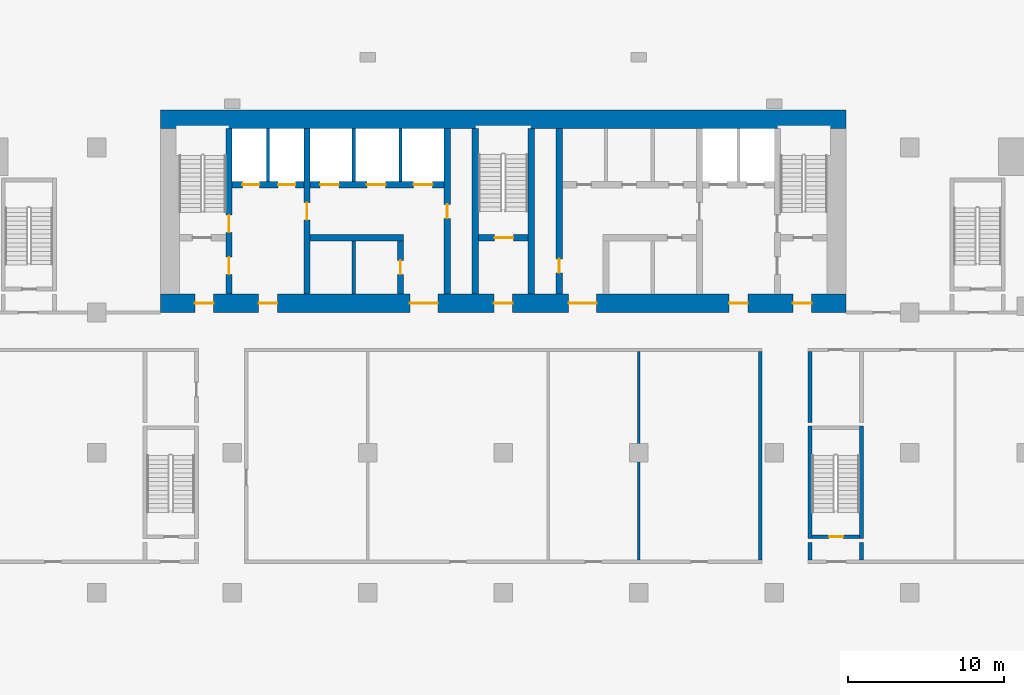
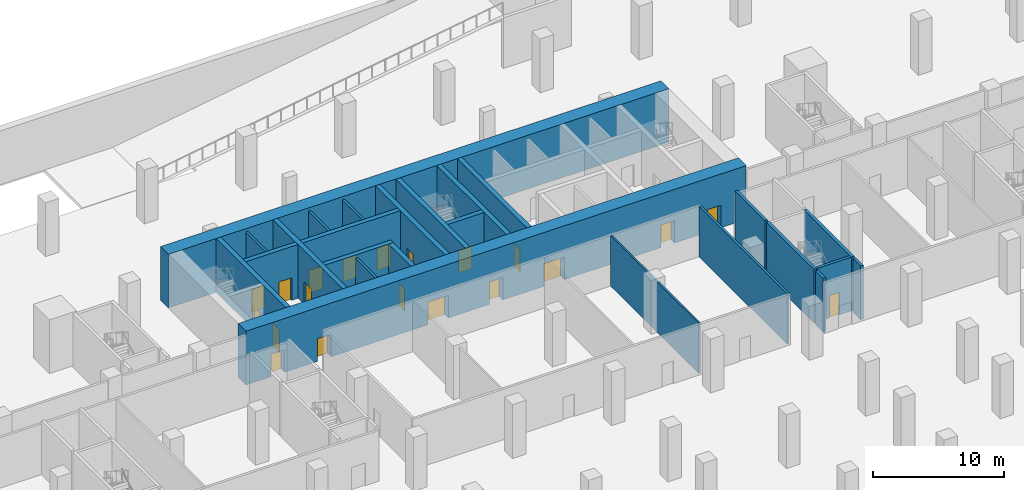
# One storey, part 3 of 8: 24 walls, 20 doors, 20 openings.
"""IFC4 building model written with IfcOpenShell, lengths in metres."""

import ifcopenshell
import ifcopenshell.guid

model = None  # the IFC model being written
_history = None  # IfcOwnerHistory: only IFC2X3 demands one
_inside = {}  # id of a spatial element -> (the spatial element, [elements in it])
_under = {}  # id of a project, library or spatial element -> (it, [spatial elements below it])
_declared = {}  # id of a project -> (the project, [libraries it declares])
_typed = {}  # id of a type object -> (the type object, [elements of that type])
_made_of = {}  # id of a material, layer set ... -> (it, [elements and type objects made of it])


def new_model(schema):
    """Start an empty IFC model of exactly this schema.

    Asked for "IFC4X3", IfcOpenShell would pick the latest addendum, in which some entities
    have other attributes; the version numbers below select the first issue.
    IFC2X3 requires an IfcOwnerHistory on every rooted entity: one is made here for all.
    """
    global model, _history
    if schema == "IFC4X3":
        model = ifcopenshell.file(schema_version=(4, 3, 0, 0))
    else:
        model = ifcopenshell.file(schema=schema)
    _inside.clear()
    _under.clear()
    _declared.clear()
    _typed.clear()
    _made_of.clear()
    _history = None
    if model.schema == "IFC2X3":
        org = make("IfcOrganization", Name="unknown")
        user = make(
            "IfcPersonAndOrganization",
            ThePerson=make("IfcPerson", FamilyName="unknown"),
            TheOrganization=org,
        )
        app = make(
            "IfcApplication",
            ApplicationDeveloper=org,
            Version="unknown",
            ApplicationFullName="unknown",
            ApplicationIdentifier="unknown",
        )
        _history = make(
            "IfcOwnerHistory",
            OwningUser=user,
            OwningApplication=app,
            ChangeAction="ADDED",
            CreationDate=0,
        )
    return model


def make(cls, **values):
    """One entity of the class cls with the attributes given. An attribute that is None is left unset."""
    return model.create_entity(
        cls, **{name: value for name, value in values.items() if value is not None}
    )


def rooted(cls, **values):
    """An entity with a GlobalId (a new one), such as an element, a storey or a relation."""
    return make(cls, GlobalId=ifcopenshell.guid.new(), OwnerHistory=_history, **values)


def si_unit(unit_type, name, prefix=None):
    """IfcSIUnit, for example si_unit("LENGTHUNIT", "METRE", prefix="MILLI")."""
    return make("IfcSIUnit", UnitType=unit_type, Prefix=prefix, Name=name)


def assignment(units):
    """IfcUnitAssignment: the units of a project."""
    return None if units is None else make("IfcUnitAssignment", Units=units)


def point(xyz):
    """IfcCartesianPoint."""
    return None if xyz is None else make("IfcCartesianPoint", Coordinates=xyz)


def direction(xyz):
    """IfcDirection."""
    return None if xyz is None else make("IfcDirection", DirectionRatios=xyz)


def frame(location, z_axis=None, x_axis=None):
    """IfcAxis2Placement3D, a coordinate frame: its origin and axes. An axis left out is left unset."""
    return make(
        "IfcAxis2Placement3D",
        Location=point(location),
        Axis=direction(z_axis),
        RefDirection=direction(x_axis),
    )


def frame_2d(location, x_axis=None):
    """IfcAxis2Placement2D, a coordinate frame in the plane: its origin and x axis."""
    return make(
        "IfcAxis2Placement2D", Location=point(location), RefDirection=direction(x_axis)
    )


def origin():
    """The frame at (0, 0, 0) with its axes left unset."""
    return frame((0.0, 0.0, 0.0))


def place(relative_to, where):
    """IfcLocalPlacement: puts the frame where relative to a parent placement (None: the world)."""
    return make(
        "IfcLocalPlacement", PlacementRelTo=relative_to, RelativePlacement=where
    )


def context(
    kind, dimensions, precision=None, world=None, true_north=None, identifier=None
):
    """IfcGeometricRepresentationContext, for example the 3D "Model" context."""
    return make(
        "IfcGeometricRepresentationContext",
        ContextIdentifier=identifier,
        ContextType=kind,
        CoordinateSpaceDimension=dimensions,
        Precision=precision,
        WorldCoordinateSystem=world,
        TrueNorth=true_north,
    )


def subcontext(parent, identifier, kind, view, scale=None):
    """IfcGeometricRepresentationSubContext, for example "Body" below "Model"."""
    return make(
        "IfcGeometricRepresentationSubContext",
        ContextIdentifier=identifier,
        ContextType=kind,
        ParentContext=parent,
        TargetScale=scale,
        TargetView=view,
    )


def project(units=None, contexts=None):
    """IfcProject with its units and contexts."""
    return rooted(
        "IfcProject",
        Name="project",
        RepresentationContexts=contexts,
        UnitsInContext=assignment(units),
    )


def spatial(cls, under=None, at=None, **own):
    """A site, building, storey or space (cls), placed at a placement, below another one or the project."""
    s = rooted(cls, ObjectPlacement=at, **own)
    if under is not None:
        _under.setdefault(under.id(), (under, []))[1].append(s)
    return s


def profile(cls, at=None, kind="AREA", **sizes):
    """A parametric profile (cls). Its sizes go by their IFC names, for example OverallWidth=200.0."""
    return make(cls, ProfileType=kind, Position=at, **sizes)


def rectangle(**sizes):
    """IfcRectangleProfileDef."""
    return profile("IfcRectangleProfileDef", **sizes)


def extrude(swept, where, along, depth):
    """IfcExtrudedAreaSolid: the profile swept, set in the frame where, extruded along a direction by depth."""
    return make(
        "IfcExtrudedAreaSolid",
        SweptArea=swept,
        Position=where,
        ExtrudedDirection=direction(along),
        Depth=depth,
    )


def shape(context_of_items, identifier, shape_type, items):
    """IfcShapeRepresentation: the items that make up one representation, for example the "Body"."""
    return make(
        "IfcShapeRepresentation",
        ContextOfItems=context_of_items,
        RepresentationIdentifier=identifier,
        RepresentationType=shape_type,
        Items=items,
    )


def material(Name=None, Category=None):
    """IfcMaterial."""
    return make("IfcMaterial", Name=Name, Category=Category)


def layer(
    of_material, thickness, ventilated=None, Name=None, Category=None, Priority=None
):
    """IfcMaterialLayer: one layer of a wall or slab, of a material (None: an air gap)."""
    return make(
        "IfcMaterialLayer",
        Material=of_material,
        LayerThickness=thickness,
        IsVentilated=ventilated,
        Name=Name,
        Category=Category,
        Priority=Priority,
    )


def layer_set(layers, Name=None):
    """IfcMaterialLayerSet."""
    return make("IfcMaterialLayerSet", MaterialLayers=layers, LayerSetName=Name)


def made_of(thing, what):
    """Note that an element or type object is made of a material, layer set ...; save() writes the relation."""
    if what is not None:
        _made_of.setdefault(what.id(), (what, []))[1].append(thing)
    return thing


def type_object(cls, material=None, **own):
    """A type object (cls), such as IfcWallType, which elements share."""
    return made_of(rooted(cls, **own), material)


def element(
    cls,
    number,
    at=None,
    inside=None,
    cuts=None,
    type_object=None,
    material=None,
    context=None,
    identifier="Body",
    shape_type=None,
    held_by="IfcProductDefinitionShape",
    body=None,
    shapes=None,
    **own,
):
    """One element of the class cls, such as IfcWall. Its Tag is "e" and its number.

    at: its placement. inside: the storey or other place that contains it. cuts: it is an
    opening in that element (IfcRelVoidsElement). A single representation is given by context,
    identifier, shape_type and body (its items); several are given by shapes. held_by: the class
    of the entity that holds the representations. save() writes the other relations.
    """
    e = rooted(cls, Tag="e%d" % number, ObjectPlacement=at, **own)
    if body is not None:
        shapes = [shape(context, identifier, shape_type, body)]
    if shapes is not None:
        e.Representation = make(held_by, Representations=shapes)
    if inside is not None:
        _inside.setdefault(inside.id(), (inside, []))[1].append(e)
    if cuts is not None:
        rooted(
            "IfcRelVoidsElement", RelatingBuildingElement=cuts, RelatedOpeningElement=e
        )
    if type_object is not None:
        _typed.setdefault(type_object.id(), (type_object, []))[1].append(e)
    return made_of(e, material)


def fill(opening, filler):
    """IfcRelFillsElement: the door or window that sits in an opening."""
    return rooted(
        "IfcRelFillsElement",
        RelatingOpeningElement=opening,
        RelatedBuildingElement=filler,
    )


def aggregate(whole, parts):
    """IfcRelAggregates: a whole, such as a stair, and the parts it consists of."""
    return rooted("IfcRelAggregates", RelatingObject=whole, RelatedObjects=parts)


def save(model, path):
    """Write the relations noted so far, then the file.

    IfcRelAggregates (storeys below a building ...), IfcRelContainedInSpatialStructure (elements
    in a storey), IfcRelDefinesByType, IfcRelAssociatesMaterial and IfcRelDeclares: one each for
    every whole, place, type object, material and project.
    """
    for whole, parts in _under.values():
        aggregate(whole, parts)
    for where, things in _inside.values():
        rooted(
            "IfcRelContainedInSpatialStructure",
            RelatedElements=things,
            RelatingStructure=where,
        )
    for kind, things in _typed.values():
        rooted("IfcRelDefinesByType", RelatedObjects=things, RelatingType=kind)
    for what, things in _made_of.values():
        rooted("IfcRelAssociatesMaterial", RelatedObjects=things, RelatingMaterial=what)
    for by, libraries in _declared.values():
        rooted("IfcRelDeclares", RelatingContext=by, RelatedDefinitions=libraries)
    model.write(path)


model = new_model("IFC4")

# Units and contexts
model_context = context("Model", 3, precision=1e-05, world=origin(), true_north=direction((0.0, 1.0)))
body_context = subcontext(model_context, "Body", "Model", "MODEL_VIEW")
ifc_project = project(units=[si_unit("LENGTHUNIT", "METRE"), si_unit("AREAUNIT", "SQUARE_METRE"), si_unit("VOLUMEUNIT", "CUBIC_METRE"), si_unit("PLANEANGLEUNIT", "RADIAN"), si_unit("MASSUNIT", "GRAM", prefix="KILO")], contexts=[model_context])

# Site, building, storey
site_placement = place(None, origin())
site = spatial("IfcSite", under=ifc_project, at=site_placement, CompositionType="ELEMENT")
building_placement = place(site_placement, origin())
building = spatial("IfcBuilding", under=site, at=building_placement, Name="Bicima Exchange Tower", CompositionType="ELEMENT")
storey_placement = place(building_placement, frame((0.0, 0.0, -10.0)))
storey = spatial("IfcBuildingStorey", under=building, at=storey_placement, Name="B2", CompositionType="ELEMENT", Elevation=-10.0)

# Walls
ifc_material_1 = material(Name="Gypsum board partition")
ifc_layer_1 = layer(ifc_material_1, 0.199951171875)
ifc_layer_set_1 = layer_set([ifc_layer_1], Name="Gypsum board partition")
wall_type_1 = type_object("IfcWallType", Name="Fire-rated gypsum partition 200 EI120", PredefinedType="PARTITIONING", material=ifc_layer_set_1)
for number, where, z_axis, x_axis, name in (
    (1, (-15.10009765625, -4.60009765625, 0.0), (0.0, 0.0, 1.0), (0.0, 1.0, 0.0), "partition wall 9"),
    (2, (-9.60009765625, -11.800048828125, 0.0), (0.0, 0.0, 1.0), (0.0, 1.0, 0.0), "partition wall 11"),
    (3, (-9.60009765625, -4.60009765625, 0.0), (0.0, 0.0, 1.0), (0.0, 1.0, 0.0), "partition wall 12"),
    (4, (-6.60009765625, -4.60009765625, 0.0), (0.0, 0.0, 1.0), (0.0, 1.0, 0.0), "partition wall 14"),
):
    element("IfcWall", number, at=place(storey_placement, frame(where, z_axis=z_axis, x_axis=x_axis)), inside=storey, type_object=wall_type_1, Name=name, PredefinedType="PARTITIONING", context=body_context, shape_type="SweptSolid", body=[
        extrude(rectangle(XDim=3.400146484375, YDim=0.199951171875, at=frame_2d((1.7001953125, 0.0))), origin(), (0.0, 0.0, 1.0), 4.699951171875),
    ])
ifc_layer_2 = layer(ifc_material_1, 0.199951171875)
ifc_layer_set_2 = layer_set([ifc_layer_2], Name="Gypsum board partition")
wall_type_2 = type_object("IfcWallType", Name="Fire-rated gypsum partition 200 EI60", PredefinedType="PARTITIONING", material=ifc_layer_set_2)
wall_1_placement = place(storey_placement, frame((16.5, -28.89990234375, 0.0), z_axis=(0.0, 0.0, 1.0), x_axis=(0.0, 1.0, 0.0)))
element("IfcWall", 5, at=wall_1_placement, inside=storey, type_object=wall_type_2, Name="partition wall 35", PredefinedType="PARTITIONING", context=body_context, shape_type="SweptSolid", body=[
    extrude(rectangle(XDim=13.39990234375, YDim=0.199951171875, at=frame_2d((6.699951171875, 0.0))), origin(), (0.0, 0.0, 1.0), 4.699951171875),
])
ifc_layer_3 = layer(ifc_material_1, 0.14990234375)
ifc_layer_set_3 = layer_set([ifc_layer_3], Name="Gypsum board partition")
wall_type_3 = type_object("IfcWallType", Name="Gypsum partition 150", PredefinedType="PARTITIONING", material=ifc_layer_set_3)
wall_2_placement = place(storey_placement, frame((8.699951171875, -28.89990234375, 0.0), z_axis=(0.0, 0.0, 1.0), x_axis=(0.0, 1.0, 0.0)))
element("IfcWall", 6, at=wall_2_placement, inside=storey, type_object=wall_type_3, Name="partition wall 34", PredefinedType="PARTITIONING", context=body_context, shape_type="SweptSolid", body=[
    extrude(rectangle(XDim=13.39990234375, YDim=0.14990234375, at=frame_2d((6.699951171875, 0.0))), origin(), (0.0, 0.0, 1.0), 4.699951171875),
])
ifc_material_2 = material(Name="Concrete C60/75", Category="concrete")
ifc_layer_4 = layer(ifc_material_2, 1.199951171875)
ifc_layer_set_4 = layer_set([ifc_layer_4], Name="Concrete C60/75")
wall_type_4 = type_object("IfcWallType", Name="RC core wall 1200 C60/75", PredefinedType="SHEAR", material=ifc_layer_set_4)
wall_3_placement = place(storey_placement, frame((-22.0, -0.60009765625, 0.0), z_axis=(0.0, 0.0, 1.0), x_axis=(1.0, 0.0, 0.0)))
element("IfcWall", 7, at=wall_3_placement, inside=storey, type_object=wall_type_4, Name="Core wall north", PredefinedType="SHEAR", context=body_context, shape_type="SweptSolid", body=[
    extrude(rectangle(XDim=44.0, YDim=1.199951171875, at=frame_2d((22.0, 0.0))), origin(), (0.0, 0.0, 1.0), 5.0),
])

# Wall, openings, doors
wall_4_placement = place(storey_placement, frame((-22.0, -12.39990234375, 0.0), z_axis=(0.0, 0.0, 1.0), x_axis=(1.0, 0.0, 0.0)))
wall_4 = element("IfcWall", 8, at=wall_4_placement, inside=storey, type_object=wall_type_4, Name="Core wall south", PredefinedType="SHEAR", context=body_context, shape_type="SweptSolid", body=[
    extrude(rectangle(XDim=44.0, YDim=1.199951171875, at=frame_2d((22.0, 0.0))), origin(), (0.0, 0.0, 1.0), 5.0),
])
opening_1_placement = place(wall_4_placement, frame((2.199951171875, 0.0, 0.0)))
opening_1 = element("IfcOpeningElement", 9, at=opening_1_placement, cuts=wall_4, Name="Opening B2-C17", PredefinedType="OPENING", context=body_context, shape_type="SweptSolid", body=[
    extrude(rectangle(XDim=1.199951171875, YDim=2.10009765625, at=frame_2d((0.60009765625, 1.050048828125))), frame((0.0, 0.61181640625, 0.0), z_axis=(0.0, -1.0, 0.0), x_axis=(1.0, 0.0, 0.0)), (0.0, 0.0, 1.0), 1.223876953125),
])
opening_2_placement = place(wall_4_placement, frame((21.39990234375, 0.0, 0.0)))
opening_2 = element("IfcOpeningElement", 10, at=opening_2_placement, cuts=wall_4, Name="Opening B2-C18", PredefinedType="OPENING", context=body_context, shape_type="SweptSolid", body=[
    extrude(rectangle(XDim=1.199951171875, YDim=2.10009765625, at=frame_2d((0.60009765625, 1.050048828125))), frame((0.0, 0.61181640625, 0.0), z_axis=(0.0, -1.0, 0.0), x_axis=(1.0, 0.0, 0.0)), (0.0, 0.0, 1.0), 1.223876953125),
])
opening_3_placement = place(wall_4_placement, frame((40.60009765625, 0.0, 0.0)))
opening_3 = element("IfcOpeningElement", 11, at=opening_3_placement, cuts=wall_4, Name="Opening B2-C19", PredefinedType="OPENING", context=body_context, shape_type="SweptSolid", body=[
    extrude(rectangle(XDim=1.199951171875, YDim=2.10009765625, at=frame_2d((0.60009765625, 1.050048828125))), frame((0.0, 0.61181640625, 0.0), z_axis=(0.0, -1.0, 0.0), x_axis=(1.0, 0.0, 0.0)), (0.0, 0.0, 1.0), 1.223876953125),
])
opening_4_placement = place(wall_4_placement, frame((16.0, 0.0, 0.0)))
opening_4 = element("IfcOpeningElement", 12, at=opening_4_placement, cuts=wall_4, Name="Opening B2-C20", PredefinedType="OPENING", context=body_context, shape_type="SweptSolid", body=[
    extrude(rectangle(XDim=1.800048828125, YDim=2.10009765625, at=frame_2d((0.89990234375, 1.050048828125))), frame((0.0, 0.61181640625, 0.0), z_axis=(0.0, -1.0, 0.0), x_axis=(1.0, 0.0, 0.0)), (0.0, 0.0, 1.0), 1.223876953125),
])
opening_5_placement = place(wall_4_placement, frame((6.300048828125, 0.0, 0.0)))
opening_5 = element("IfcOpeningElement", 13, at=opening_5_placement, cuts=wall_4, Name="Opening B2-C21", PredefinedType="OPENING", context=body_context, shape_type="SweptSolid", body=[
    extrude(rectangle(XDim=1.199951171875, YDim=2.10009765625, at=frame_2d((0.60009765625, 1.050048828125))), frame((0.0, 0.61181640625, 0.0), z_axis=(0.0, -1.0, 0.0), x_axis=(1.0, 0.0, 0.0)), (0.0, 0.0, 1.0), 1.223876953125),
])
opening_6_placement = place(wall_4_placement, frame((26.199951171875, 0.0, 0.0)))
opening_6 = element("IfcOpeningElement", 14, at=opening_6_placement, cuts=wall_4, Name="Opening B2-C22", PredefinedType="OPENING", context=body_context, shape_type="SweptSolid", body=[
    extrude(rectangle(XDim=1.800048828125, YDim=2.10009765625, at=frame_2d((0.89990234375, 1.050048828125))), frame((0.0, 0.61181640625, 0.0), z_axis=(0.0, -1.0, 0.0), x_axis=(1.0, 0.0, 0.0)), (0.0, 0.0, 1.0), 1.223876953125),
])
opening_7_placement = place(wall_4_placement, frame((36.5, 0.0, 0.0)))
opening_7 = element("IfcOpeningElement", 15, at=opening_7_placement, cuts=wall_4, Name="Opening B2-C23", PredefinedType="OPENING", context=body_context, shape_type="SweptSolid", body=[
    extrude(rectangle(XDim=1.199951171875, YDim=2.10009765625, at=frame_2d((0.60009765625, 1.050048828125))), frame((0.0, 0.61181640625, 0.0), z_axis=(0.0, -1.0, 0.0), x_axis=(1.0, 0.0, 0.0)), (0.0, 0.0, 1.0), 1.223876953125),
])
ifc_material_3 = material(Name="Steel fire door leaf", Category="steel")
door_type_1 = type_object("IfcDoorType", Name="Door 1200 swing FD60S", OperationType="SINGLE_SWING_LEFT", PredefinedType="DOOR", material=ifc_material_3)
door_1_placement = place(opening_1_placement, frame((1.199951171875, 0.0, 0.0), z_axis=(0.0, 0.0, 1.0), x_axis=(-1.0, 0.0, 0.0)))
door_1 = element("IfcDoor", 16, at=door_1_placement, inside=storey, type_object=door_type_1, Name="Core door", OperationType="SINGLE_SWING_RIGHT", OverallHeight=2.10009765625, OverallWidth=1.199951171875, PredefinedType="DOOR", context=body_context, shape_type="SweptSolid", body=[
    extrude(rectangle(XDim=1.199951171875, YDim=2.10009765625, at=frame_2d((0.60009765625, 1.050048828125))), frame((0.0, 0.02490234375, 0.0), z_axis=(0.0, -1.0, 0.0), x_axis=(1.0, 0.0, 0.0)), (0.0, 0.0, 1.0), 0.050048828125),
])
fill(opening_1, door_1)
door_2_placement = place(opening_2_placement, frame((1.199951171875, 0.0, 0.0), z_axis=(0.0, 0.0, 1.0), x_axis=(-1.0, 0.0, 0.0)))
door_2 = element("IfcDoor", 17, at=door_2_placement, inside=storey, type_object=door_type_1, Name="Core door", OperationType="SINGLE_SWING_RIGHT", OverallHeight=2.10009765625, OverallWidth=1.199951171875, PredefinedType="DOOR", context=body_context, shape_type="SweptSolid", body=[
    extrude(rectangle(XDim=1.199951171875, YDim=2.10009765625, at=frame_2d((0.60009765625, 1.050048828125))), frame((0.0, 0.02490234375, 0.0), z_axis=(0.0, -1.0, 0.0), x_axis=(1.0, 0.0, 0.0)), (0.0, 0.0, 1.0), 0.050048828125),
])
fill(opening_2, door_2)
door_3_placement = place(opening_3_placement, frame((1.199951171875, 0.0, 0.0), z_axis=(0.0, 0.0, 1.0), x_axis=(-1.0, 0.0, 0.0)))
door_3 = element("IfcDoor", 18, at=door_3_placement, inside=storey, type_object=door_type_1, Name="Core door", OperationType="SINGLE_SWING_RIGHT", OverallHeight=2.10009765625, OverallWidth=1.199951171875, PredefinedType="DOOR", context=body_context, shape_type="SweptSolid", body=[
    extrude(rectangle(XDim=1.199951171875, YDim=2.10009765625, at=frame_2d((0.60009765625, 1.050048828125))), frame((0.0, 0.02490234375, 0.0), z_axis=(0.0, -1.0, 0.0), x_axis=(1.0, 0.0, 0.0)), (0.0, 0.0, 1.0), 0.050048828125),
])
fill(opening_3, door_3)
door_4_placement = place(opening_5_placement, frame((1.199951171875, 0.0, 0.0), z_axis=(0.0, 0.0, 1.0), x_axis=(-1.0, 0.0, 0.0)))
door_4 = element("IfcDoor", 19, at=door_4_placement, inside=storey, type_object=door_type_1, Name="Core door", OperationType="SINGLE_SWING_RIGHT", OverallHeight=2.10009765625, OverallWidth=1.199951171875, PredefinedType="DOOR", context=body_context, shape_type="SweptSolid", body=[
    extrude(rectangle(XDim=1.199951171875, YDim=2.10009765625, at=frame_2d((0.60009765625, 1.050048828125))), frame((0.0, 0.02490234375, 0.0), z_axis=(0.0, -1.0, 0.0), x_axis=(1.0, 0.0, 0.0)), (0.0, 0.0, 1.0), 0.050048828125),
])
fill(opening_5, door_4)
door_5_placement = place(opening_7_placement, frame((1.199951171875, 0.0, 0.0), z_axis=(0.0, 0.0, 1.0), x_axis=(-1.0, 0.0, 0.0)))
door_5 = element("IfcDoor", 20, at=door_5_placement, inside=storey, type_object=door_type_1, Name="Core door", OperationType="SINGLE_SWING_RIGHT", OverallHeight=2.10009765625, OverallWidth=1.199951171875, PredefinedType="DOOR", context=body_context, shape_type="SweptSolid", body=[
    extrude(rectangle(XDim=1.199951171875, YDim=2.10009765625, at=frame_2d((0.60009765625, 1.050048828125))), frame((0.0, 0.02490234375, 0.0), z_axis=(0.0, -1.0, 0.0), x_axis=(1.0, 0.0, 0.0)), (0.0, 0.0, 1.0), 0.050048828125),
])
fill(opening_7, door_5)
door_type_2 = type_object("IfcDoorType", Name="Door 1800 double swing FD30S", OperationType="DOUBLE_DOOR_SINGLE_SWING", PredefinedType="DOOR", material=ifc_material_3)
door_6_placement = place(opening_4_placement, origin())
door_6 = element("IfcDoor", 21, at=door_6_placement, inside=storey, type_object=door_type_2, Name="Core door", OperationType="SINGLE_SWING_LEFT", OverallHeight=2.10009765625, OverallWidth=1.800048828125, PredefinedType="DOOR", context=body_context, shape_type="SweptSolid", body=[
    extrude(rectangle(XDim=1.800048828125, YDim=2.10009765625, at=frame_2d((0.89990234375, 1.050048828125))), frame((0.0, 0.02490234375, 0.0), z_axis=(0.0, -1.0, 0.0), x_axis=(1.0, 0.0, 0.0)), (0.0, 0.0, 1.0), 0.050048828125),
])
fill(opening_4, door_6)
door_7_placement = place(opening_6_placement, origin())
door_7 = element("IfcDoor", 22, at=door_7_placement, inside=storey, type_object=door_type_2, Name="Core door", OperationType="SINGLE_SWING_LEFT", OverallHeight=2.10009765625, OverallWidth=1.800048828125, PredefinedType="DOOR", context=body_context, shape_type="SweptSolid", body=[
    extrude(rectangle(XDim=1.800048828125, YDim=2.10009765625, at=frame_2d((0.89990234375, 1.050048828125))), frame((0.0, 0.02490234375, 0.0), z_axis=(0.0, -1.0, 0.0), x_axis=(1.0, 0.0, 0.0)), (0.0, 0.0, 1.0), 0.050048828125),
])
fill(opening_6, door_7)

# Walls
ifc_material_4 = material(Name="Concrete C50/60", Category="concrete")
ifc_layer_5 = layer(ifc_material_4, 0.25)
ifc_layer_set_5 = layer_set([ifc_layer_5], Name="Concrete C50/60")
wall_type_5 = type_object("IfcWallType", Name="RC core wall 250 C50/60", PredefinedType="SHEAR", material=ifc_layer_set_5)
wall_5_placement = place(storey_placement, frame((19.699951171875, -28.89990234375, 0.0), z_axis=(0.0, 0.0, 1.0), x_axis=(0.0, 1.0, 0.0)))
element("IfcWall", 23, at=wall_5_placement, inside=storey, type_object=wall_type_5, Name="stair wall 36", PredefinedType="SHEAR", context=body_context, shape_type="SweptSolid", body=[
    extrude(rectangle(XDim=1.14990234375, YDim=0.25, at=frame_2d((0.574951171875, 0.0))), origin(), (0.0, 0.0, 1.0), 5.0),
])
wall_6_placement = place(storey_placement, frame((19.699951171875, -20.050048828125, 0.0), z_axis=(0.0, 0.0, 1.0), x_axis=(0.0, 1.0, 0.0)))
element("IfcWall", 24, at=wall_6_placement, inside=storey, type_object=wall_type_5, Name="stair wall 36", PredefinedType="SHEAR", context=body_context, shape_type="SweptSolid", body=[
    extrude(rectangle(XDim=4.550048828125, YDim=0.25, at=frame_2d((2.27490234375, 0.0))), origin(), (0.0, 0.0, 1.0), 5.0),
])
wall_7_placement = place(storey_placement, frame((23.0, -28.89990234375, 0.0), z_axis=(0.0, 0.0, 1.0), x_axis=(0.0, 1.0, 0.0)))
element("IfcWall", 25, at=wall_7_placement, inside=storey, type_object=wall_type_5, Name="stair wall 37", PredefinedType="SHEAR", context=body_context, shape_type="SweptSolid", body=[
    extrude(rectangle(XDim=1.14990234375, YDim=0.25, at=frame_2d((0.574951171875, 0.0))), origin(), (0.0, 0.0, 1.0), 5.0),
])

# Wall, opening, door
ifc_layer_6 = layer(ifc_material_4, 0.39990234375)
ifc_layer_set_6 = layer_set([ifc_layer_6], Name="Concrete C50/60")
wall_type_6 = type_object("IfcWallType", Name="RC core wall 400 C50/60", PredefinedType="SHEAR", material=ifc_layer_set_6)
wall_8_placement = place(storey_placement, frame((-1.60009765625, -8.199951171875, 0.0), z_axis=(0.0, 0.0, 1.0), x_axis=(1.0, 0.0, 0.0)))
wall_8 = element("IfcWall", 26, at=wall_8_placement, inside=storey, type_object=wall_type_6, Name="stair wall 3", PredefinedType="SHEAR", context=body_context, shape_type="SweptSolid", body=[
    extrude(rectangle(XDim=3.2001953125, YDim=0.39990234375, at=frame_2d((1.60009765625, 0.0))), origin(), (0.0, 0.0, 1.0), 5.0),
])
opening_8_placement = place(wall_8_placement, frame((1.050048828125, 0.0, 0.0)))
opening_8 = element("IfcOpeningElement", 27, at=opening_8_placement, cuts=wall_8, Name="Opening B2-C03", PredefinedType="OPENING", context=body_context, shape_type="SweptSolid", body=[
    extrude(rectangle(XDim=1.199951171875, YDim=2.10009765625, at=frame_2d((0.60009765625, 1.050048828125))), frame((0.0, 0.2119140625, 0.0), z_axis=(0.0, -1.0, 0.0), x_axis=(1.0, 0.0, 0.0)), (0.0, 0.0, 1.0), 0.423828125),
])
door_8_placement = place(opening_8_placement, origin())
door_8 = element("IfcDoor", 28, at=door_8_placement, inside=storey, type_object=door_type_1, Name="Core door", OperationType="SINGLE_SWING_LEFT", OverallHeight=2.10009765625, OverallWidth=1.199951171875, PredefinedType="DOOR", context=body_context, shape_type="SweptSolid", body=[
    extrude(rectangle(XDim=1.199951171875, YDim=2.10009765625, at=frame_2d((0.60009765625, 1.050048828125))), frame((0.0, 0.02490234375, 0.0), z_axis=(0.0, -1.0, 0.0), x_axis=(1.0, 0.0, 0.0)), (0.0, 0.0, 1.0), 0.050048828125),
])
fill(opening_8, door_8)

# Wall, openings, doors
wall_9_placement = place(storey_placement, frame((-17.60009765625, -11.800048828125, 0.0), z_axis=(0.0, 0.0, 1.0), x_axis=(0.0, 1.0, 0.0)))
wall_9 = element("IfcWall", 29, at=wall_9_placement, inside=storey, type_object=wall_type_6, Name="stair wall 8", PredefinedType="SHEAR", context=body_context, shape_type="SweptSolid", body=[
    extrude(rectangle(XDim=10.60009765625, YDim=0.39990234375, at=frame_2d((5.300048828125, 0.0))), origin(), (0.0, 0.0, 1.0), 5.0),
])
opening_9_placement = place(wall_9_placement, frame((1.25, 0.0, 0.0)))
opening_9 = element("IfcOpeningElement", 30, at=opening_9_placement, cuts=wall_9, Name="Opening B2-C02", PredefinedType="OPENING", context=body_context, shape_type="SweptSolid", body=[
    extrude(rectangle(XDim=1.10009765625, YDim=2.10009765625, at=frame_2d((0.550048828125, 1.050048828125))), frame((0.0, 0.2119140625, 0.0), z_axis=(0.0, -1.0, 0.0), x_axis=(1.0, 0.0, 0.0)), (0.0, 0.0, 1.0), 0.423828125),
])
opening_10_placement = place(wall_9_placement, frame((3.949951171875, 0.0, 0.0)))
opening_10 = element("IfcOpeningElement", 31, at=opening_10_placement, cuts=wall_9, Name="Opening B2-C06", PredefinedType="OPENING", context=body_context, shape_type="SweptSolid", body=[
    extrude(rectangle(XDim=1.10009765625, YDim=2.10009765625, at=frame_2d((0.550048828125, 1.050048828125))), frame((0.0, 0.2119140625, 0.0), z_axis=(0.0, -1.0, 0.0), x_axis=(1.0, 0.0, 0.0)), (0.0, 0.0, 1.0), 0.423828125),
])
door_type_3 = type_object("IfcDoorType", Name="Door 1100 swing FD60S", OperationType="SINGLE_SWING_LEFT", PredefinedType="DOOR", material=ifc_material_3)
door_9_placement = place(opening_9_placement, frame((1.10009765625, 0.0, 0.0), z_axis=(0.0, 0.0, 1.0), x_axis=(-1.0, 0.0, 0.0)))
door_9 = element("IfcDoor", 32, at=door_9_placement, inside=storey, type_object=door_type_3, Name="Core door", OperationType="SINGLE_SWING_LEFT", OverallHeight=2.10009765625, OverallWidth=1.10009765625, PredefinedType="DOOR", context=body_context, shape_type="SweptSolid", body=[
    extrude(rectangle(XDim=1.10009765625, YDim=2.10009765625, at=frame_2d((0.550048828125, 1.050048828125))), frame((0.0, 0.02490234375, 0.0), z_axis=(0.0, -1.0, 0.0), x_axis=(1.0, 0.0, 0.0)), (0.0, 0.0, 1.0), 0.050048828125),
])
fill(opening_9, door_9)
door_10_placement = place(opening_10_placement, frame((1.10009765625, 0.0, 0.0), z_axis=(0.0, 0.0, 1.0), x_axis=(-1.0, 0.0, 0.0)))
door_10 = element("IfcDoor", 33, at=door_10_placement, inside=storey, type_object=door_type_3, Name="Core door", OperationType="SINGLE_SWING_LEFT", OverallHeight=2.10009765625, OverallWidth=1.10009765625, PredefinedType="DOOR", context=body_context, shape_type="SweptSolid", body=[
    extrude(rectangle(XDim=1.10009765625, YDim=2.10009765625, at=frame_2d((0.550048828125, 1.050048828125))), frame((0.0, 0.02490234375, 0.0), z_axis=(0.0, -1.0, 0.0), x_axis=(1.0, 0.0, 0.0)), (0.0, 0.0, 1.0), 0.050048828125),
])
fill(opening_10, door_10)

# Walls
for number, where, z_axis, x_axis, name in (
    (34, (-1.800048828125, -11.800048828125, 0.0), (0.0, 0.0, 1.0), (0.0, 1.0, 0.0), "stair wall 16"),
    (35, (1.800048828125, -11.800048828125, 0.0), (0.0, 0.0, 1.0), (0.0, 1.0, 0.0), "stair wall 17"),
):
    element("IfcWall", number, at=place(storey_placement, frame(where, z_axis=z_axis, x_axis=x_axis)), inside=storey, type_object=wall_type_6, Name=name, PredefinedType="SHEAR", context=body_context, shape_type="SweptSolid", body=[
        extrude(rectangle(XDim=10.60009765625, YDim=0.39990234375, at=frame_2d((5.300048828125, 0.0))), origin(), (0.0, 0.0, 1.0), 5.0),
    ])
ifc_layer_7 = layer(ifc_material_2, 0.39990234375)
ifc_layer_set_7 = layer_set([ifc_layer_7], Name="Concrete C60/75")
wall_type_7 = type_object("IfcWallType", Name="RC core wall 400 C60/75", PredefinedType="SHEAR", material=ifc_layer_set_7)
wall_10_placement = place(storey_placement, frame((-12.39990234375, -8.199951171875, 0.0), z_axis=(0.0, 0.0, 1.0), x_axis=(1.0, 0.0, 0.0)))
element("IfcWall", 36, at=wall_10_placement, inside=storey, type_object=wall_type_7, Name="shear wall 2", PredefinedType="SHEAR", context=body_context, shape_type="SweptSolid", body=[
    extrude(rectangle(XDim=6.0, YDim=0.39990234375, at=frame_2d((3.0, 0.0))), origin(), (0.0, 0.0, 1.0), 5.0),
])

# Wall, openings, doors
wall_11_placement = place(storey_placement, frame((-17.39990234375, -4.800048828125, 0.0), z_axis=(0.0, 0.0, 1.0), x_axis=(1.0, 0.0, 0.0)))
wall_11 = element("IfcWall", 37, at=wall_11_placement, inside=storey, type_object=wall_type_7, Name="shear wall 6", PredefinedType="SHEAR", context=body_context, shape_type="SweptSolid", body=[
    extrude(rectangle(XDim=13.599853515625, YDim=0.39990234375, at=frame_2d((6.7998046875, 0.0))), origin(), (0.0, 0.0, 1.0), 5.0),
])
opening_11_placement = place(wall_11_placement, frame((0.64990234375, 0.0, 0.0)))
opening_11 = element("IfcOpeningElement", 38, at=opening_11_placement, cuts=wall_11, Name="Opening LD-FF1-B2", PredefinedType="OPENING", context=body_context, shape_type="SweptSolid", body=[
    extrude(rectangle(XDim=1.10009765625, YDim=2.10009765625, at=frame_2d((0.550048828125, 1.050048828125))), frame((0.0, 0.2119140625, 0.0), z_axis=(0.0, -1.0, 0.0), x_axis=(1.0, 0.0, 0.0)), (0.0, 0.0, 1.0), 0.423828125),
])
opening_12_placement = place(wall_11_placement, frame((2.949951171875, 0.0, 0.0)))
opening_12 = element("IfcOpeningElement", 39, at=opening_12_placement, cuts=wall_11, Name="Opening LD-FF3-B2", PredefinedType="OPENING", context=body_context, shape_type="SweptSolid", body=[
    extrude(rectangle(XDim=1.10009765625, YDim=2.10009765625, at=frame_2d((0.550048828125, 1.050048828125))), frame((0.0, 0.2119140625, 0.0), z_axis=(0.0, -1.0, 0.0), x_axis=(1.0, 0.0, 0.0)), (0.0, 0.0, 1.0), 0.423828125),
])
opening_13_placement = place(wall_11_placement, frame((5.64990234375, 0.0, 0.0)))
opening_13 = element("IfcOpeningElement", 40, at=opening_13_placement, cuts=wall_11, Name="Opening LD-LB1-B2", PredefinedType="OPENING", context=body_context, shape_type="SweptSolid", body=[
    extrude(rectangle(XDim=1.199951171875, YDim=2.10009765625, at=frame_2d((0.60009765625, 1.050048828125))), frame((0.0, 0.2119140625, 0.0), z_axis=(0.0, -1.0, 0.0), x_axis=(1.0, 0.0, 0.0)), (0.0, 0.0, 1.0), 0.423828125),
])
opening_14_placement = place(wall_11_placement, frame((8.64990234375, 0.0, 0.0)))
opening_14 = element("IfcOpeningElement", 41, at=opening_14_placement, cuts=wall_11, Name="Opening LD-LB2-B2", PredefinedType="OPENING", context=body_context, shape_type="SweptSolid", body=[
    extrude(rectangle(XDim=1.199951171875, YDim=2.10009765625, at=frame_2d((0.60009765625, 1.050048828125))), frame((0.0, 0.2119140625, 0.0), z_axis=(0.0, -1.0, 0.0), x_axis=(1.0, 0.0, 0.0)), (0.0, 0.0, 1.0), 0.423828125),
])
opening_15_placement = place(wall_11_placement, frame((11.64990234375, 0.0, 0.0)))
opening_15 = element("IfcOpeningElement", 42, at=opening_15_placement, cuts=wall_11, Name="Opening LD-LB3-B2", PredefinedType="OPENING", context=body_context, shape_type="SweptSolid", body=[
    extrude(rectangle(XDim=1.199951171875, YDim=2.10009765625, at=frame_2d((0.60009765625, 1.050048828125))), frame((0.0, 0.2119140625, 0.0), z_axis=(0.0, -1.0, 0.0), x_axis=(1.0, 0.0, 0.0)), (0.0, 0.0, 1.0), 0.423828125),
])
ifc_material_5 = material(Name="Stainless steel", Category="steel")
door_type_4 = type_object("IfcDoorType", Name="Lift landing door 1100 sliding", OperationType="DOUBLE_DOOR_SLIDING", PredefinedType="DOOR", material=ifc_material_5)
door_11_placement = place(opening_11_placement, origin())
door_11 = element("IfcDoor", 43, at=door_11_placement, inside=storey, type_object=door_type_4, Name="Lift landing door FF1", OperationType="DOUBLE_DOOR_SLIDING", OverallHeight=2.10009765625, OverallWidth=1.10009765625, PredefinedType="DOOR", context=body_context, shape_type="SweptSolid", body=[
    extrude(rectangle(XDim=1.10009765625, YDim=2.10009765625, at=frame_2d((0.550048828125, 1.050048828125))), frame((0.0, 0.02490234375, 0.0), z_axis=(0.0, -1.0, 0.0), x_axis=(1.0, 0.0, 0.0)), (0.0, 0.0, 1.0), 0.050048828125),
])
fill(opening_11, door_11)
door_12_placement = place(opening_12_placement, origin())
door_12 = element("IfcDoor", 44, at=door_12_placement, inside=storey, type_object=door_type_4, Name="Lift landing door FF3", OperationType="DOUBLE_DOOR_SLIDING", OverallHeight=2.10009765625, OverallWidth=1.10009765625, PredefinedType="DOOR", context=body_context, shape_type="SweptSolid", body=[
    extrude(rectangle(XDim=1.10009765625, YDim=2.10009765625, at=frame_2d((0.550048828125, 1.050048828125))), frame((0.0, 0.02490234375, 0.0), z_axis=(0.0, -1.0, 0.0), x_axis=(1.0, 0.0, 0.0)), (0.0, 0.0, 1.0), 0.050048828125),
])
fill(opening_12, door_12)
door_type_5 = type_object("IfcDoorType", Name="Lift landing door 1200 sliding", OperationType="DOUBLE_DOOR_SLIDING", PredefinedType="DOOR", material=ifc_material_5)
door_13_placement = place(opening_13_placement, origin())
door_13 = element("IfcDoor", 45, at=door_13_placement, inside=storey, type_object=door_type_5, Name="Lift landing door LB1", OperationType="DOUBLE_DOOR_SLIDING", OverallHeight=2.10009765625, OverallWidth=1.199951171875, PredefinedType="DOOR", context=body_context, shape_type="SweptSolid", body=[
    extrude(rectangle(XDim=1.199951171875, YDim=2.10009765625, at=frame_2d((0.60009765625, 1.050048828125))), frame((0.0, 0.02490234375, 0.0), z_axis=(0.0, -1.0, 0.0), x_axis=(1.0, 0.0, 0.0)), (0.0, 0.0, 1.0), 0.050048828125),
])
fill(opening_13, door_13)
door_14_placement = place(opening_14_placement, origin())
door_14 = element("IfcDoor", 46, at=door_14_placement, inside=storey, type_object=door_type_5, Name="Lift landing door LB2", OperationType="DOUBLE_DOOR_SLIDING", OverallHeight=2.10009765625, OverallWidth=1.199951171875, PredefinedType="DOOR", context=body_context, shape_type="SweptSolid", body=[
    extrude(rectangle(XDim=1.199951171875, YDim=2.10009765625, at=frame_2d((0.60009765625, 1.050048828125))), frame((0.0, 0.02490234375, 0.0), z_axis=(0.0, -1.0, 0.0), x_axis=(1.0, 0.0, 0.0)), (0.0, 0.0, 1.0), 0.050048828125),
])
fill(opening_14, door_14)
door_15_placement = place(opening_15_placement, origin())
door_15 = element("IfcDoor", 47, at=door_15_placement, inside=storey, type_object=door_type_5, Name="Lift landing door LB3", OperationType="DOUBLE_DOOR_SLIDING", OverallHeight=2.10009765625, OverallWidth=1.199951171875, PredefinedType="DOOR", context=body_context, shape_type="SweptSolid", body=[
    extrude(rectangle(XDim=1.199951171875, YDim=2.10009765625, at=frame_2d((0.60009765625, 1.050048828125))), frame((0.0, 0.02490234375, 0.0), z_axis=(0.0, -1.0, 0.0), x_axis=(1.0, 0.0, 0.0)), (0.0, 0.0, 1.0), 0.050048828125),
])
fill(opening_15, door_15)

# Wall, opening, door
wall_12_placement = place(storey_placement, frame((-12.60009765625, -11.800048828125, 0.0), z_axis=(0.0, 0.0, 1.0), x_axis=(0.0, 1.0, 0.0)))
wall_12 = element("IfcWall", 48, at=wall_12_placement, inside=storey, type_object=wall_type_7, Name="shear wall 10", PredefinedType="SHEAR", context=body_context, shape_type="SweptSolid", body=[
    extrude(rectangle(XDim=10.60009765625, YDim=0.39990234375, at=frame_2d((5.300048828125, 0.0))), origin(), (0.0, 0.0, 1.0), 5.0),
])
opening_16_placement = place(wall_12_placement, frame((4.75, 0.0, 0.0)))
opening_16 = element("IfcOpeningElement", 49, at=opening_16_placement, cuts=wall_12, Name="Opening B2-C07", PredefinedType="OPENING", context=body_context, shape_type="SweptSolid", body=[
    extrude(rectangle(XDim=1.10009765625, YDim=2.10009765625, at=frame_2d((0.550048828125, 1.050048828125))), frame((0.0, 0.2119140625, 0.0), z_axis=(0.0, -1.0, 0.0), x_axis=(1.0, 0.0, 0.0)), (0.0, 0.0, 1.0), 0.423828125),
])
door_16_placement = place(opening_16_placement, origin())
door_16 = element("IfcDoor", 50, at=door_16_placement, inside=storey, type_object=door_type_3, Name="Core door", OperationType="SINGLE_SWING_LEFT", OverallHeight=2.10009765625, OverallWidth=1.10009765625, PredefinedType="DOOR", context=body_context, shape_type="SweptSolid", body=[
    extrude(rectangle(XDim=1.10009765625, YDim=2.10009765625, at=frame_2d((0.550048828125, 1.050048828125))), frame((0.0, 0.02490234375, 0.0), z_axis=(0.0, -1.0, 0.0), x_axis=(1.0, 0.0, 0.0)), (0.0, 0.0, 1.0), 0.050048828125),
])
fill(opening_16, door_16)

wall_13_placement = place(storey_placement, frame((-6.60009765625, -11.800048828125, 0.0), z_axis=(0.0, 0.0, 1.0), x_axis=(0.0, 1.0, 0.0)))
wall_13 = element("IfcWall", 51, at=wall_13_placement, inside=storey, type_object=wall_type_7, Name="shear wall 13", PredefinedType="SHEAR", context=body_context, shape_type="SweptSolid", body=[
    extrude(rectangle(XDim=3.400146484375, YDim=0.39990234375, at=frame_2d((1.7001953125, 0.0))), origin(), (0.0, 0.0, 1.0), 5.0),
])
opening_17_placement = place(wall_13_placement, frame((1.25, 0.0, 0.0)))
opening_17 = element("IfcOpeningElement", 52, at=opening_17_placement, cuts=wall_13, Name="Opening B2-C15", PredefinedType="OPENING", context=body_context, shape_type="SweptSolid", body=[
    extrude(rectangle(XDim=0.89990234375, YDim=2.10009765625, at=frame_2d((0.449951171875, 1.050048828125))), frame((0.0, 0.2119140625, 0.0), z_axis=(0.0, -1.0, 0.0), x_axis=(1.0, 0.0, 0.0)), (0.0, 0.0, 1.0), 0.423828125),
])
door_type_6 = type_object("IfcDoorType", Name="Door 900 swing FD30S", OperationType="SINGLE_SWING_LEFT", PredefinedType="DOOR", material=ifc_material_3)
door_17_placement = place(opening_17_placement, origin())
door_17 = element("IfcDoor", 53, at=door_17_placement, inside=storey, type_object=door_type_6, Name="Core door", OperationType="SINGLE_SWING_LEFT", OverallHeight=2.10009765625, OverallWidth=0.89990234375, PredefinedType="DOOR", context=body_context, shape_type="SweptSolid", body=[
    extrude(rectangle(XDim=0.89990234375, YDim=2.10009765625, at=frame_2d((0.449951171875, 1.050048828125))), frame((0.0, 0.02490234375, 0.0), z_axis=(0.0, -1.0, 0.0), x_axis=(1.0, 0.0, 0.0)), (0.0, 0.0, 1.0), 0.050048828125),
])
fill(opening_17, door_17)

wall_14_placement = place(storey_placement, frame((-3.60009765625, -11.800048828125, 0.0), z_axis=(0.0, 0.0, 1.0), x_axis=(0.0, 1.0, 0.0)))
wall_14 = element("IfcWall", 54, at=wall_14_placement, inside=storey, type_object=wall_type_7, Name="shear wall 15", PredefinedType="SHEAR", context=body_context, shape_type="SweptSolid", body=[
    extrude(rectangle(XDim=10.60009765625, YDim=0.39990234375, at=frame_2d((5.300048828125, 0.0))), origin(), (0.0, 0.0, 1.0), 5.0),
])
opening_18_placement = place(wall_14_placement, frame((4.85009765625, 0.0, 0.0)))
opening_18 = element("IfcOpeningElement", 55, at=opening_18_placement, cuts=wall_14, Name="Opening B2-C10", PredefinedType="OPENING", context=body_context, shape_type="SweptSolid", body=[
    extrude(rectangle(XDim=0.89990234375, YDim=2.10009765625, at=frame_2d((0.449951171875, 1.050048828125))), frame((0.0, 0.2119140625, 0.0), z_axis=(0.0, -1.0, 0.0), x_axis=(1.0, 0.0, 0.0)), (0.0, 0.0, 1.0), 0.423828125),
])
door_18_placement = place(opening_18_placement, frame((0.89990234375, 0.0, 0.0), z_axis=(0.0, 0.0, 1.0), x_axis=(-1.0, 0.0, 0.0)))
door_18 = element("IfcDoor", 56, at=door_18_placement, inside=storey, type_object=door_type_6, Name="Core door", OperationType="SINGLE_SWING_LEFT", OverallHeight=2.10009765625, OverallWidth=0.89990234375, PredefinedType="DOOR", context=body_context, shape_type="SweptSolid", body=[
    extrude(rectangle(XDim=0.89990234375, YDim=2.10009765625, at=frame_2d((0.449951171875, 1.050048828125))), frame((0.0, 0.02490234375, 0.0), z_axis=(0.0, -1.0, 0.0), x_axis=(1.0, 0.0, 0.0)), (0.0, 0.0, 1.0), 0.050048828125),
])
fill(opening_18, door_18)

wall_15_placement = place(storey_placement, frame((3.60009765625, -11.800048828125, 0.0), z_axis=(0.0, 0.0, 1.0), x_axis=(0.0, 1.0, 0.0)))
wall_15 = element("IfcWall", 57, at=wall_15_placement, inside=storey, type_object=wall_type_7, Name="shear wall 18", PredefinedType="SHEAR", context=body_context, shape_type="SweptSolid", body=[
    extrude(rectangle(XDim=10.60009765625, YDim=0.39990234375, at=frame_2d((5.300048828125, 0.0))), origin(), (0.0, 0.0, 1.0), 5.0),
])
opening_19_placement = place(wall_15_placement, frame((1.35009765625, 0.0, 0.0)))
opening_19 = element("IfcOpeningElement", 58, at=opening_19_placement, cuts=wall_15, Name="Opening B2-C11", PredefinedType="OPENING", context=body_context, shape_type="SweptSolid", body=[
    extrude(rectangle(XDim=0.89990234375, YDim=2.10009765625, at=frame_2d((0.449951171875, 1.050048828125))), frame((0.0, 0.2119140625, 0.0), z_axis=(0.0, -1.0, 0.0), x_axis=(1.0, 0.0, 0.0)), (0.0, 0.0, 1.0), 0.423828125),
])
door_19_placement = place(opening_19_placement, origin())
door_19 = element("IfcDoor", 59, at=door_19_placement, inside=storey, type_object=door_type_6, Name="Core door", OperationType="SINGLE_SWING_LEFT", OverallHeight=2.10009765625, OverallWidth=0.89990234375, PredefinedType="DOOR", context=body_context, shape_type="SweptSolid", body=[
    extrude(rectangle(XDim=0.89990234375, YDim=2.10009765625, at=frame_2d((0.449951171875, 1.050048828125))), frame((0.0, 0.02490234375, 0.0), z_axis=(0.0, -1.0, 0.0), x_axis=(1.0, 0.0, 0.0)), (0.0, 0.0, 1.0), 0.050048828125),
])
fill(opening_19, door_19)

# Walls
ifc_layer_8 = layer(ifc_material_4, 0.25)
ifc_layer_set_8 = layer_set([ifc_layer_8], Name="Concrete C50/60")
wall_type_8 = type_object("IfcWallType", Name="RC stair enclosure wall 250 C50/60", PredefinedType="SHEAR", material=ifc_layer_set_8)
for number, where, z_axis, x_axis, name in (
    (60, (19.699951171875, -27.52490234375, 0.0), (0.0, 0.0, 1.0), (0.0, 1.0, 0.0), "Podium inner east stair wall W"),
    (61, (23.0, -27.52490234375, 0.0), (0.0, 0.0, 1.0), (0.0, 1.0, 0.0), "Podium inner east stair wall E"),
):
    element("IfcWall", number, at=place(storey_placement, frame(where, z_axis=z_axis, x_axis=x_axis)), inside=storey, type_object=wall_type_8, Name=name, PredefinedType="SHEAR", context=body_context, shape_type="SweptSolid", body=[
        extrude(rectangle(XDim=7.25, YDim=0.25, at=frame_2d((3.625, 0.0))), origin(), (0.0, 0.0, 1.0), 5.0),
    ])

# Wall, opening, door
wall_16_placement = place(storey_placement, frame((19.824951171875, -27.39990234375, 0.0), z_axis=(0.0, 0.0, 1.0), x_axis=(1.0, 0.0, 0.0)))
wall_16 = element("IfcWall", 62, at=wall_16_placement, inside=storey, type_object=wall_type_8, Name="Podium inner east stair wall S", PredefinedType="SHEAR", context=body_context, shape_type="SweptSolid", body=[
    extrude(rectangle(XDim=3.050048828125, YDim=0.25, at=frame_2d((1.52490234375, 0.0))), origin(), (0.0, 0.0, 1.0), 5.0),
])
opening_20_placement = place(wall_16_placement, frame((1.10009765625, 0.0, 0.0)))
opening_20 = element("IfcOpeningElement", 63, at=opening_20_placement, cuts=wall_16, Name="Opening B2-006", PredefinedType="OPENING", context=body_context, shape_type="SweptSolid", body=[
    extrude(rectangle(XDim=0.89990234375, YDim=2.10009765625, at=frame_2d((0.449951171875, 1.050048828125))), frame((0.0, 0.136962890625, 0.0), z_axis=(0.0, -1.0, 0.0), x_axis=(1.0, 0.0, 0.0)), (0.0, 0.0, 1.0), 0.27392578125),
])
door_type_7 = type_object("IfcDoorType", Name="Door 900 swing FD60S", OperationType="SINGLE_SWING_LEFT", PredefinedType="DOOR", material=ifc_material_3)
door_20_placement = place(opening_20_placement, origin())
door_20 = element("IfcDoor", 64, at=door_20_placement, inside=storey, type_object=door_type_7, Name="Door", OperationType="SINGLE_SWING_RIGHT", OverallHeight=2.10009765625, OverallWidth=0.89990234375, PredefinedType="DOOR", context=body_context, shape_type="SweptSolid", body=[
    extrude(rectangle(XDim=0.89990234375, YDim=2.10009765625, at=frame_2d((0.449951171875, 1.050048828125))), frame((0.0, 0.02490234375, 0.0), z_axis=(0.0, -1.0, 0.0), x_axis=(1.0, 0.0, 0.0)), (0.0, 0.0, 1.0), 0.050048828125),
])
fill(opening_20, door_20)

save(model, "model.ifc")
